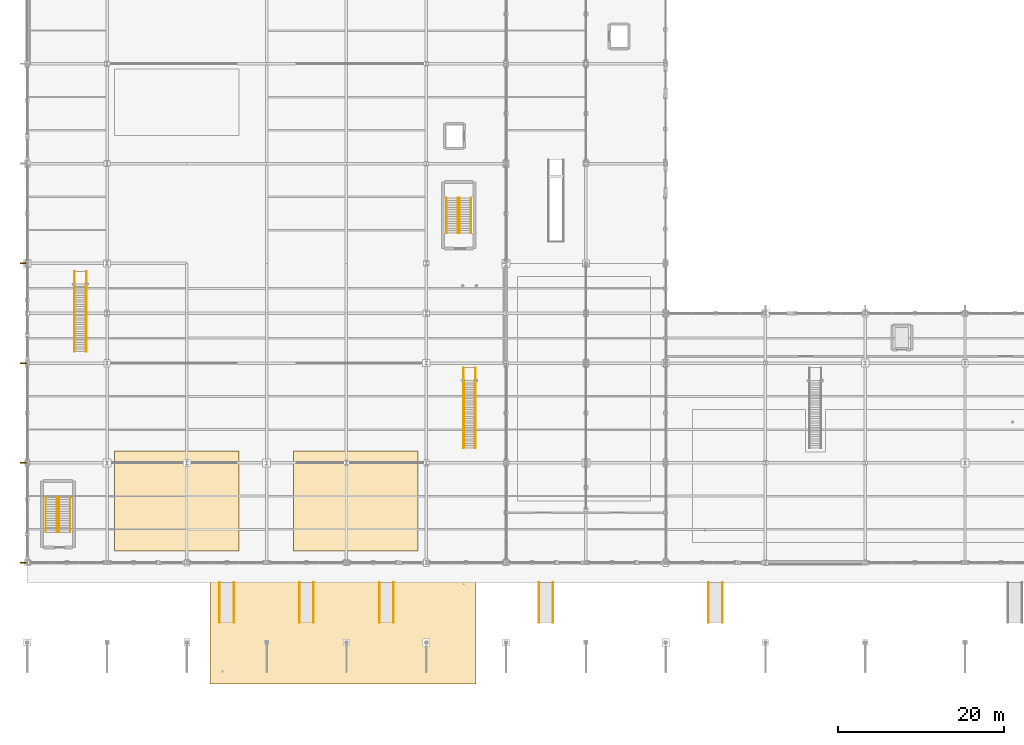
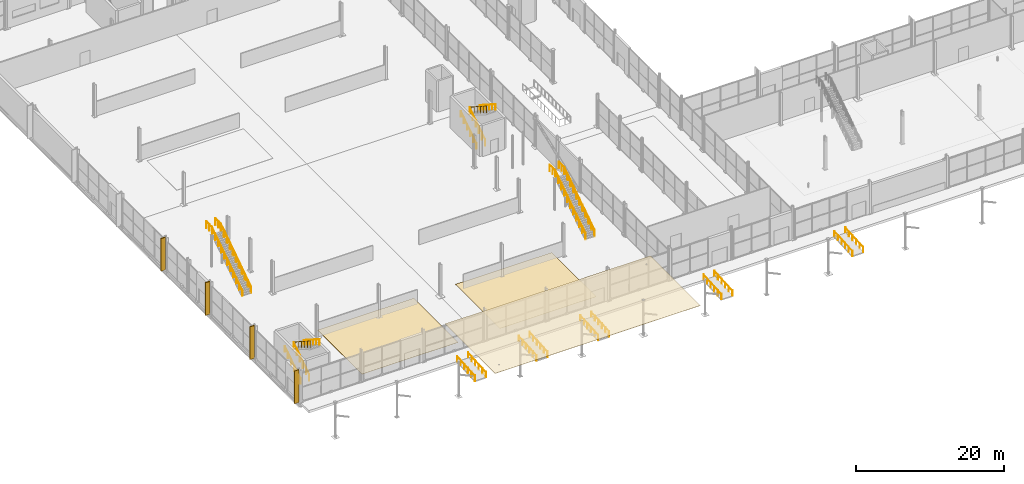
# One storey, part 190 of 196: 26 railings, 7 coverings.
"""IFC4 building model written with IfcOpenShell, lengths in metres."""

import ifcopenshell
import ifcopenshell.guid

model = None  # the IFC model being written
_history = None  # IfcOwnerHistory: only IFC2X3 demands one
_inside = {}  # id of a spatial element -> (the spatial element, [elements in it])
_under = {}  # id of a project, library or spatial element -> (it, [spatial elements below it])
_declared = {}  # id of a project -> (the project, [libraries it declares])
_typed = {}  # id of a type object -> (the type object, [elements of that type])
_made_of = {}  # id of a material, layer set ... -> (it, [elements and type objects made of it])


def new_model(schema):
    """Start an empty IFC model of exactly this schema.

    Asked for "IFC4X3", IfcOpenShell would pick the latest addendum, in which some entities
    have other attributes; the version numbers below select the first issue.
    IFC2X3 requires an IfcOwnerHistory on every rooted entity: one is made here for all.
    """
    global model, _history
    if schema == "IFC4X3":
        model = ifcopenshell.file(schema_version=(4, 3, 0, 0))
    else:
        model = ifcopenshell.file(schema=schema)
    _inside.clear()
    _under.clear()
    _declared.clear()
    _typed.clear()
    _made_of.clear()
    _history = None
    if model.schema == "IFC2X3":
        org = make("IfcOrganization", Name="unknown")
        user = make(
            "IfcPersonAndOrganization",
            ThePerson=make("IfcPerson", FamilyName="unknown"),
            TheOrganization=org,
        )
        app = make(
            "IfcApplication",
            ApplicationDeveloper=org,
            Version="unknown",
            ApplicationFullName="unknown",
            ApplicationIdentifier="unknown",
        )
        _history = make(
            "IfcOwnerHistory",
            OwningUser=user,
            OwningApplication=app,
            ChangeAction="ADDED",
            CreationDate=0,
        )
    return model


def make(cls, **values):
    """One entity of the class cls with the attributes given. An attribute that is None is left unset."""
    return model.create_entity(
        cls, **{name: value for name, value in values.items() if value is not None}
    )


def rooted(cls, **values):
    """An entity with a GlobalId (a new one), such as an element, a storey or a relation."""
    return make(cls, GlobalId=ifcopenshell.guid.new(), OwnerHistory=_history, **values)


def si_unit(unit_type, name, prefix=None):
    """IfcSIUnit, for example si_unit("LENGTHUNIT", "METRE", prefix="MILLI")."""
    return make("IfcSIUnit", UnitType=unit_type, Prefix=prefix, Name=name)


def assignment(units):
    """IfcUnitAssignment: the units of a project."""
    return None if units is None else make("IfcUnitAssignment", Units=units)


def point(xyz):
    """IfcCartesianPoint."""
    return None if xyz is None else make("IfcCartesianPoint", Coordinates=xyz)


def direction(xyz):
    """IfcDirection."""
    return None if xyz is None else make("IfcDirection", DirectionRatios=xyz)


def frame(location, z_axis=None, x_axis=None):
    """IfcAxis2Placement3D, a coordinate frame: its origin and axes. An axis left out is left unset."""
    return make(
        "IfcAxis2Placement3D",
        Location=point(location),
        Axis=direction(z_axis),
        RefDirection=direction(x_axis),
    )


def frame_2d(location, x_axis=None):
    """IfcAxis2Placement2D, a coordinate frame in the plane: its origin and x axis."""
    return make(
        "IfcAxis2Placement2D", Location=point(location), RefDirection=direction(x_axis)
    )


def origin():
    """The frame at (0, 0, 0) with its axes left unset."""
    return frame((0.0, 0.0, 0.0))


def origin_2d():
    """The frame at (0, 0) in the plane with its x axis left unset."""
    return frame_2d((0.0, 0.0))


def place(relative_to, where):
    """IfcLocalPlacement: puts the frame where relative to a parent placement (None: the world)."""
    return make(
        "IfcLocalPlacement", PlacementRelTo=relative_to, RelativePlacement=where
    )


def context(
    kind, dimensions, precision=None, world=None, true_north=None, identifier=None
):
    """IfcGeometricRepresentationContext, for example the 3D "Model" context."""
    return make(
        "IfcGeometricRepresentationContext",
        ContextIdentifier=identifier,
        ContextType=kind,
        CoordinateSpaceDimension=dimensions,
        Precision=precision,
        WorldCoordinateSystem=world,
        TrueNorth=true_north,
    )


def subcontext(parent, identifier, kind, view, scale=None):
    """IfcGeometricRepresentationSubContext, for example "Body" below "Model"."""
    return make(
        "IfcGeometricRepresentationSubContext",
        ContextIdentifier=identifier,
        ContextType=kind,
        ParentContext=parent,
        TargetScale=scale,
        TargetView=view,
    )


def project(units=None, contexts=None):
    """IfcProject with its units and contexts."""
    return rooted(
        "IfcProject",
        Name="project",
        RepresentationContexts=contexts,
        UnitsInContext=assignment(units),
    )


def spatial(cls, under=None, at=None, **own):
    """A site, building, storey or space (cls), placed at a placement, below another one or the project."""
    s = rooted(cls, ObjectPlacement=at, **own)
    if under is not None:
        _under.setdefault(under.id(), (under, []))[1].append(s)
    return s


def polyline(points):
    """IfcPolyline through the points."""
    return make("IfcPolyline", Points=[point(p) for p in points])


def profile(cls, at=None, kind="AREA", **sizes):
    """A parametric profile (cls). Its sizes go by their IFC names, for example OverallWidth=200.0."""
    return make(cls, ProfileType=kind, Position=at, **sizes)


def circle(**sizes):
    """IfcCircleProfileDef."""
    return profile("IfcCircleProfileDef", **sizes)


def outline(outer, holes=None, kind="AREA"):
    """IfcArbitraryClosedProfileDef: a profile drawn as a closed curve; with holes, ...WithVoids."""
    if holes is None:
        return make("IfcArbitraryClosedProfileDef", ProfileType=kind, OuterCurve=outer)
    return make(
        "IfcArbitraryProfileDefWithVoids",
        ProfileType=kind,
        OuterCurve=outer,
        InnerCurves=holes,
    )


def extrude(swept, where, along, depth):
    """IfcExtrudedAreaSolid: the profile swept, set in the frame where, extruded along a direction by depth."""
    return make(
        "IfcExtrudedAreaSolid",
        SweptArea=swept,
        Position=where,
        ExtrudedDirection=direction(along),
        Depth=depth,
    )


def shape(context_of_items, identifier, shape_type, items):
    """IfcShapeRepresentation: the items that make up one representation, for example the "Body"."""
    return make(
        "IfcShapeRepresentation",
        ContextOfItems=context_of_items,
        RepresentationIdentifier=identifier,
        RepresentationType=shape_type,
        Items=items,
    )


def material(Name=None, Category=None):
    """IfcMaterial."""
    return make("IfcMaterial", Name=Name, Category=Category)


def layer(
    of_material, thickness, ventilated=None, Name=None, Category=None, Priority=None
):
    """IfcMaterialLayer: one layer of a wall or slab, of a material (None: an air gap)."""
    return make(
        "IfcMaterialLayer",
        Material=of_material,
        LayerThickness=thickness,
        IsVentilated=ventilated,
        Name=Name,
        Category=Category,
        Priority=Priority,
    )


def layer_set(layers, Name=None):
    """IfcMaterialLayerSet."""
    return make("IfcMaterialLayerSet", MaterialLayers=layers, LayerSetName=Name)


def made_of(thing, what):
    """Note that an element or type object is made of a material, layer set ...; save() writes the relation."""
    if what is not None:
        _made_of.setdefault(what.id(), (what, []))[1].append(thing)
    return thing


def type_object(cls, material=None, **own):
    """A type object (cls), such as IfcWallType, which elements share."""
    return made_of(rooted(cls, **own), material)


def element(
    cls,
    number,
    at=None,
    inside=None,
    cuts=None,
    type_object=None,
    material=None,
    context=None,
    identifier="Body",
    shape_type=None,
    held_by="IfcProductDefinitionShape",
    body=None,
    shapes=None,
    **own,
):
    """One element of the class cls, such as IfcWall. Its Tag is "e" and its number.

    at: its placement. inside: the storey or other place that contains it. cuts: it is an
    opening in that element (IfcRelVoidsElement). A single representation is given by context,
    identifier, shape_type and body (its items); several are given by shapes. held_by: the class
    of the entity that holds the representations. save() writes the other relations.
    """
    e = rooted(cls, Tag="e%d" % number, ObjectPlacement=at, **own)
    if body is not None:
        shapes = [shape(context, identifier, shape_type, body)]
    if shapes is not None:
        e.Representation = make(held_by, Representations=shapes)
    if inside is not None:
        _inside.setdefault(inside.id(), (inside, []))[1].append(e)
    if cuts is not None:
        rooted(
            "IfcRelVoidsElement", RelatingBuildingElement=cuts, RelatedOpeningElement=e
        )
    if type_object is not None:
        _typed.setdefault(type_object.id(), (type_object, []))[1].append(e)
    return made_of(e, material)


def aggregate(whole, parts):
    """IfcRelAggregates: a whole, such as a stair, and the parts it consists of."""
    return rooted("IfcRelAggregates", RelatingObject=whole, RelatedObjects=parts)


def save(model, path):
    """Write the relations noted so far, then the file.

    IfcRelAggregates (storeys below a building ...), IfcRelContainedInSpatialStructure (elements
    in a storey), IfcRelDefinesByType, IfcRelAssociatesMaterial and IfcRelDeclares: one each for
    every whole, place, type object, material and project.
    """
    for whole, parts in _under.values():
        aggregate(whole, parts)
    for where, things in _inside.values():
        rooted(
            "IfcRelContainedInSpatialStructure",
            RelatedElements=things,
            RelatingStructure=where,
        )
    for kind, things in _typed.values():
        rooted("IfcRelDefinesByType", RelatedObjects=things, RelatingType=kind)
    for what, things in _made_of.values():
        rooted("IfcRelAssociatesMaterial", RelatedObjects=things, RelatingMaterial=what)
    for by, libraries in _declared.values():
        rooted("IfcRelDeclares", RelatingContext=by, RelatedDefinitions=libraries)
    model.write(path)


model = new_model("IFC4")

# Units and contexts
model_context = context("Model", 3, precision=1e-05, world=origin(), true_north=direction((0.0, 1.0)))
body_context = subcontext(model_context, "Body", "Model", "MODEL_VIEW")
ifc_project = project(units=[si_unit("LENGTHUNIT", "METRE"), si_unit("AREAUNIT", "SQUARE_METRE"), si_unit("VOLUMEUNIT", "CUBIC_METRE"), si_unit("PLANEANGLEUNIT", "RADIAN"), si_unit("MASSUNIT", "GRAM", prefix="KILO")], contexts=[model_context])

# Site, building, storey
site_placement = place(None, origin())
site = spatial("IfcSite", under=ifc_project, at=site_placement, CompositionType="ELEMENT")
building_placement = place(site_placement, origin())
building = spatial("IfcBuilding", under=site, at=building_placement, Name="Merenkruunu Market Hall", CompositionType="ELEMENT")
storey_placement = place(building_placement, origin())
storey = spatial("IfcBuildingStorey", under=building, at=storey_placement, Name="L00", CompositionType="ELEMENT", Elevation=0.0)

# Coverings
ifc_material_1 = material(Name="Precast concrete C40/50", Category="concrete")
ifc_layer_1 = layer(ifc_material_1, 0.139892578125)
ifc_layer_set_1 = layer_set([ifc_layer_1], Name="Precast concrete C40/50")
covering_type_1 = type_object("IfcCoveringType", Name="Architectural Precast Sun Fin CLD02", PredefinedType="CLADDING", material=ifc_layer_set_1)
covering_1_placement = place(storey_placement, origin())
element("IfcCovering", 1, at=covering_1_placement, inside=storey, type_object=covering_type_1, Name="FIN-W-L00-001", PredefinedType="CLADDING", context=body_context, shape_type="SweptSolid", body=[
    extrude(outline(polyline([(-0.8701171875, 15.530029296875), (-0.14794921875, 15.530029296875), (-0.14794921875, 15.669921875), (-0.8701171875, 15.669921875), (-0.8701171875, 15.530029296875)])), origin(), (0.0, 0.0, 1.0), 5.39990234375),
])
covering_2_placement = place(storey_placement, origin())
element("IfcCovering", 2, at=covering_2_placement, inside=storey, type_object=covering_type_1, Name="FIN-W-L00-004", PredefinedType="CLADDING", context=body_context, shape_type="SweptSolid", body=[
    extrude(outline(polyline([(-0.8701171875, 27.530029296875), (-0.14794921875, 27.530029296875), (-0.14794921875, 27.669921875), (-0.8701171875, 27.669921875), (-0.8701171875, 27.530029296875)])), origin(), (0.0, 0.0, 1.0), 5.39990234375),
])
covering_3_placement = place(storey_placement, origin())
element("IfcCovering", 3, at=covering_3_placement, inside=storey, type_object=covering_type_1, Name="FIN-W-L00-007", PredefinedType="CLADDING", context=body_context, shape_type="SweptSolid", body=[
    extrude(outline(polyline([(-0.8701171875, 39.530029296875), (-0.14794921875, 39.530029296875), (-0.14794921875, 39.669921875), (-0.8701171875, 39.669921875), (-0.8701171875, 39.530029296875)])), origin(), (0.0, 0.0, 1.0), 5.39990234375),
])
covering_4_placement = place(storey_placement, origin())
element("IfcCovering", 4, at=covering_4_placement, inside=storey, type_object=covering_type_1, Name="FIN-W-L00-010", PredefinedType="CLADDING", context=body_context, shape_type="SweptSolid", body=[
    extrude(outline(polyline([(-0.8701171875, 51.530029296875), (-0.14794921875, 51.530029296875), (-0.14794921875, 51.669921875), (-0.8701171875, 51.669921875), (-0.8701171875, 51.530029296875)])), origin(), (0.0, 0.0, 1.0), 5.39990234375),
])

# Railings
ifc_material_2 = material(Name="Brushed stainless steel", Category="steel")
railing_type_1 = type_object("IfcRailingType", Name="Gallery Balustrade Guard GR01", PredefinedType="BALUSTRADE", material=ifc_material_2)
railing_1_placement = place(storey_placement, frame((3.590087890625, 19.25, 0.0)))
element("IfcRailing", 5, at=railing_1_placement, inside=storey, type_object=railing_type_1, Name="RAIL-L00-0010", PredefinedType="BALUSTRADE", context=body_context, shape_type="SweptSolid", body=[
    extrude(circle(Radius=0.02392578125, at=origin_2d()), frame((0.0, 0.0, 1.076171875), z_axis=(0.0, 0.841180064094, 0.540755119968), x_axis=(-1.0, 0.0, 0.0)), (0.0, 0.0, 1.0), 4.992919921875),
    extrude(circle(Radius=0.02099609375, at=origin_2d()), origin(), (0.0, 0.0, 1.0), 1.052001953125),
    extrude(circle(Radius=0.02099609375, at=origin_2d()), frame((0.0, 0.840087890625, 0.5400390625)), (0.0, 0.0, 1.0), 1.052001953125),
    extrude(circle(Radius=0.02099609375, at=origin_2d()), frame((0.0, 1.679931640625, 1.080078125)), (0.0, 0.0, 1.0), 1.052001953125),
    extrude(circle(Radius=0.02099609375, at=origin_2d()), frame((0.0, 2.52001953125, 1.619873046875)), (0.0, 0.0, 1.0), 1.052001953125),
    extrude(circle(Radius=0.02099609375, at=origin_2d()), frame((0.0, 3.35986328125, 2.159912109375)), (0.0, 0.0, 1.0), 1.052001953125),
    extrude(circle(Radius=0.02099609375, at=origin_2d()), frame((0.0, 4.199951171875, 2.699951171875)), (0.0, 0.0, 1.0), 1.052001953125),
])
railing_2_placement = place(storey_placement, frame((3.81005859375, 23.449951171875, 2.699951171875)))
element("IfcRailing", 6, at=railing_2_placement, inside=storey, type_object=railing_type_1, Name="RAIL-L00-0011", PredefinedType="BALUSTRADE", context=body_context, shape_type="SweptSolid", body=[
    extrude(circle(Radius=0.02392578125, at=origin_2d()), frame((0.0, 0.0, 1.076171875), z_axis=(0.0, -0.841180064094, 0.540755119968), x_axis=(1.0, 0.0, 0.0)), (0.0, 0.0, 1.0), 4.992919921875),
    extrude(circle(Radius=0.02099609375, at=origin_2d()), origin(), (0.0, 0.0, 1.0), 1.052001953125),
    extrude(circle(Radius=0.02099609375, at=origin_2d()), frame((0.0, -0.840087890625, 0.5400390625)), (0.0, 0.0, 1.0), 1.052001953125),
    extrude(circle(Radius=0.02099609375, at=origin_2d()), frame((0.0, -1.679931640625, 1.080078125)), (0.0, 0.0, 1.0), 1.052001953125),
    extrude(circle(Radius=0.02099609375, at=origin_2d()), frame((0.0, -2.52001953125, 1.619873046875)), (0.0, 0.0, 1.0), 1.052001953125),
    extrude(circle(Radius=0.02099609375, at=origin_2d()), frame((0.0, -3.35986328125, 2.159912109375)), (0.0, 0.0, 1.0), 1.052001953125),
    extrude(circle(Radius=0.02099609375, at=origin_2d()), frame((0.0, -4.199951171875, 2.699951171875)), (0.0, 0.0, 1.0), 1.052001953125),
])
railing_3_placement = place(storey_placement, frame((51.7900390625, 55.25, 0.0)))
element("IfcRailing", 7, at=railing_3_placement, inside=storey, type_object=railing_type_1, Name="RAIL-L00-0019", PredefinedType="BALUSTRADE", context=body_context, shape_type="SweptSolid", body=[
    extrude(circle(Radius=0.02392578125, at=origin_2d()), frame((0.0, 0.0, 1.076171875), z_axis=(0.0, 0.841180064094, 0.540755119968), x_axis=(-1.0, 0.0, 0.0)), (0.0, 0.0, 1.0), 4.992919921875),
    extrude(circle(Radius=0.02099609375, at=origin_2d()), origin(), (0.0, 0.0, 1.0), 1.052001953125),
    extrude(circle(Radius=0.02099609375, at=origin_2d()), frame((0.0, 0.840087890625, 0.5400390625)), (0.0, 0.0, 1.0), 1.052001953125),
    extrude(circle(Radius=0.02099609375, at=origin_2d()), frame((0.0, 1.679931640625, 1.080078125)), (0.0, 0.0, 1.0), 1.052001953125),
    extrude(circle(Radius=0.02099609375, at=origin_2d()), frame((0.0, 2.52001953125, 1.619873046875)), (0.0, 0.0, 1.0), 1.052001953125),
    extrude(circle(Radius=0.02099609375, at=origin_2d()), frame((0.0, 3.35986328125, 2.159912109375)), (0.0, 0.0, 1.0), 1.052001953125),
    extrude(circle(Radius=0.02099609375, at=origin_2d()), frame((0.0, 4.199951171875, 2.699951171875)), (0.0, 0.0, 1.0), 1.052001953125),
])
railing_4_placement = place(storey_placement, frame((52.010009765625, 59.449951171875, 2.699951171875)))
element("IfcRailing", 8, at=railing_4_placement, inside=storey, type_object=railing_type_1, Name="RAIL-L00-0020", PredefinedType="BALUSTRADE", context=body_context, shape_type="SweptSolid", body=[
    extrude(circle(Radius=0.02392578125, at=origin_2d()), frame((0.0, 0.0, 1.076171875), z_axis=(0.0, -0.841180064094, 0.540755119968), x_axis=(1.0, 0.0, 0.0)), (0.0, 0.0, 1.0), 4.992919921875),
    extrude(circle(Radius=0.02099609375, at=origin_2d()), origin(), (0.0, 0.0, 1.0), 1.052001953125),
    extrude(circle(Radius=0.02099609375, at=origin_2d()), frame((0.0, -0.840087890625, 0.5400390625)), (0.0, 0.0, 1.0), 1.052001953125),
    extrude(circle(Radius=0.02099609375, at=origin_2d()), frame((0.0, -1.679931640625, 1.080078125)), (0.0, 0.0, 1.0), 1.052001953125),
    extrude(circle(Radius=0.02099609375, at=origin_2d()), frame((0.0, -2.52001953125, 1.619873046875)), (0.0, 0.0, 1.0), 1.052001953125),
    extrude(circle(Radius=0.02099609375, at=origin_2d()), frame((0.0, -3.35986328125, 2.159912109375)), (0.0, 0.0, 1.0), 1.052001953125),
    extrude(circle(Radius=0.02099609375, at=origin_2d()), frame((0.0, -4.199951171875, 2.699951171875)), (0.0, 0.0, 1.0), 1.052001953125),
])
railing_5_placement = place(storey_placement, frame((5.68994140625, 41.0, 0.0)))
element("IfcRailing", 9, at=railing_5_placement, inside=storey, type_object=railing_type_1, Name="RAIL-L00-0099", PredefinedType="BALUSTRADE", context=body_context, shape_type="SweptSolid", body=[
    extrude(circle(Radius=0.02392578125, at=origin_2d()), frame((0.0, 0.0, 1.076171875), z_axis=(0.0, 0.832058010752, 0.55468862143), x_axis=(-1.0, 0.0, 0.0)), (0.0, 0.0, 1.0), 9.735107421875),
    extrude(circle(Radius=0.02392578125, at=origin_2d()), frame((0.0, 8.10009765625, 6.47607421875), z_axis=(0.0, 1.0, 0.0), x_axis=(-1.0, 0.0, 0.0)), (0.0, 0.0, 1.0), 1.52978515625),
    extrude(circle(Radius=0.02099609375, at=origin_2d()), origin(), (0.0, 0.0, 1.0), 1.052001953125),
    extrude(circle(Radius=0.02099609375, at=origin_2d()), frame((0.0, 0.81005859375, 0.5400390625)), (0.0, 0.0, 1.0), 1.052001953125),
    extrude(circle(Radius=0.02099609375, at=origin_2d()), frame((0.0, 1.6201171875, 1.080078125)), (0.0, 0.0, 1.0), 1.052001953125),
    extrude(circle(Radius=0.02099609375, at=origin_2d()), frame((0.0, 2.429931640625, 1.619873046875)), (0.0, 0.0, 1.0), 1.052001953125),
    extrude(circle(Radius=0.02099609375, at=origin_2d()), frame((0.0, 3.239990234375, 2.159912109375)), (0.0, 0.0, 1.0), 1.052001953125),
    extrude(circle(Radius=0.02099609375, at=origin_2d()), frame((0.0, 4.050048828125, 2.699951171875)), (0.0, 0.0, 1.0), 1.052001953125),
    extrude(circle(Radius=0.02099609375, at=origin_2d()), frame((0.0, 4.860107421875, 3.239990234375)), (0.0, 0.0, 1.0), 1.052001953125),
    extrude(circle(Radius=0.02099609375, at=origin_2d()), frame((0.0, 5.670166015625, 3.780029296875)), (0.0, 0.0, 1.0), 1.052001953125),
    extrude(circle(Radius=0.02099609375, at=origin_2d()), frame((0.0, 6.47998046875, 4.31982421875)), (0.0, 0.0, 1.0), 1.052001953125),
    extrude(circle(Radius=0.02099609375, at=origin_2d()), frame((0.0, 7.2900390625, 4.85986328125)), (0.0, 0.0, 1.0), 1.052001953125),
    extrude(circle(Radius=0.02099609375, at=origin_2d()), frame((0.0, 8.10009765625, 5.39990234375)), (0.0, 0.0, 1.0), 1.052001953125),
    extrude(circle(Radius=0.02099609375, at=origin_2d()), frame((0.0, 8.864990234375, 5.39990234375)), (0.0, 0.0, 1.0), 1.052001953125),
    extrude(circle(Radius=0.02099609375, at=origin_2d()), frame((0.0, 9.6298828125, 5.39990234375)), (0.0, 0.0, 1.0), 1.052001953125),
])
railing_6_placement = place(storey_placement, frame((7.110107421875, 41.0, 0.0)))
element("IfcRailing", 10, at=railing_6_placement, inside=storey, type_object=railing_type_1, Name="RAIL-L00-0101", PredefinedType="BALUSTRADE", context=body_context, shape_type="SweptSolid", body=[
    extrude(circle(Radius=0.02392578125, at=origin_2d()), frame((0.0, 0.0, 1.076171875), z_axis=(0.0, 0.832058010752, 0.55468862143), x_axis=(-1.0, 0.0, 0.0)), (0.0, 0.0, 1.0), 9.735107421875),
    extrude(circle(Radius=0.02392578125, at=origin_2d()), frame((0.0, 8.10009765625, 6.47607421875), z_axis=(0.0, 1.0, 0.0), x_axis=(-1.0, 0.0, 0.0)), (0.0, 0.0, 1.0), 1.52978515625),
    extrude(circle(Radius=0.02099609375, at=origin_2d()), origin(), (0.0, 0.0, 1.0), 1.052001953125),
    extrude(circle(Radius=0.02099609375, at=origin_2d()), frame((0.0, 0.81005859375, 0.5400390625)), (0.0, 0.0, 1.0), 1.052001953125),
    extrude(circle(Radius=0.02099609375, at=origin_2d()), frame((0.0, 1.6201171875, 1.080078125)), (0.0, 0.0, 1.0), 1.052001953125),
    extrude(circle(Radius=0.02099609375, at=origin_2d()), frame((0.0, 2.429931640625, 1.619873046875)), (0.0, 0.0, 1.0), 1.052001953125),
    extrude(circle(Radius=0.02099609375, at=origin_2d()), frame((0.0, 3.239990234375, 2.159912109375)), (0.0, 0.0, 1.0), 1.052001953125),
    extrude(circle(Radius=0.02099609375, at=origin_2d()), frame((0.0, 4.050048828125, 2.699951171875)), (0.0, 0.0, 1.0), 1.052001953125),
    extrude(circle(Radius=0.02099609375, at=origin_2d()), frame((0.0, 4.860107421875, 3.239990234375)), (0.0, 0.0, 1.0), 1.052001953125),
    extrude(circle(Radius=0.02099609375, at=origin_2d()), frame((0.0, 5.670166015625, 3.780029296875)), (0.0, 0.0, 1.0), 1.052001953125),
    extrude(circle(Radius=0.02099609375, at=origin_2d()), frame((0.0, 6.47998046875, 4.31982421875)), (0.0, 0.0, 1.0), 1.052001953125),
    extrude(circle(Radius=0.02099609375, at=origin_2d()), frame((0.0, 7.2900390625, 4.85986328125)), (0.0, 0.0, 1.0), 1.052001953125),
    extrude(circle(Radius=0.02099609375, at=origin_2d()), frame((0.0, 8.10009765625, 5.39990234375)), (0.0, 0.0, 1.0), 1.052001953125),
    extrude(circle(Radius=0.02099609375, at=origin_2d()), frame((0.0, 8.864990234375, 5.39990234375)), (0.0, 0.0, 1.0), 1.052001953125),
    extrude(circle(Radius=0.02099609375, at=origin_2d()), frame((0.0, 9.6298828125, 5.39990234375)), (0.0, 0.0, 1.0), 1.052001953125),
])
railing_7_placement = place(storey_placement, frame((52.489990234375, 29.39990234375, 0.0)))
element("IfcRailing", 11, at=railing_7_placement, inside=storey, type_object=railing_type_1, Name="RAIL-L00-0104", PredefinedType="BALUSTRADE", context=body_context, shape_type="SweptSolid", body=[
    extrude(circle(Radius=0.02392578125, at=origin_2d()), frame((0.0, 0.0, 1.076171875), z_axis=(0.0, 0.832058010752, 0.55468862143), x_axis=(-1.0, 0.0, 0.0)), (0.0, 0.0, 1.0), 9.735107421875),
    extrude(circle(Radius=0.02392578125, at=origin_2d()), frame((0.0, 8.10009765625, 6.47607421875), z_axis=(0.0, 1.0, 0.0), x_axis=(-1.0, 0.0, 0.0)), (0.0, 0.0, 1.0), 1.530029296875),
    extrude(circle(Radius=0.02099609375, at=origin_2d()), origin(), (0.0, 0.0, 1.0), 1.052001953125),
    extrude(circle(Radius=0.02099609375, at=origin_2d()), frame((0.0, 0.81005859375, 0.5400390625)), (0.0, 0.0, 1.0), 1.052001953125),
    extrude(circle(Radius=0.02099609375, at=origin_2d()), frame((0.0, 1.6201171875, 1.080078125)), (0.0, 0.0, 1.0), 1.052001953125),
    extrude(circle(Radius=0.02099609375, at=origin_2d()), frame((0.0, 2.429931640625, 1.619873046875)), (0.0, 0.0, 1.0), 1.052001953125),
    extrude(circle(Radius=0.02099609375, at=origin_2d()), frame((0.0, 3.239990234375, 2.159912109375)), (0.0, 0.0, 1.0), 1.052001953125),
    extrude(circle(Radius=0.02099609375, at=origin_2d()), frame((0.0, 4.050048828125, 2.699951171875)), (0.0, 0.0, 1.0), 1.052001953125),
    extrude(circle(Radius=0.02099609375, at=origin_2d()), frame((0.0, 4.860107421875, 3.239990234375)), (0.0, 0.0, 1.0), 1.052001953125),
    extrude(circle(Radius=0.02099609375, at=origin_2d()), frame((0.0, 5.670166015625, 3.780029296875)), (0.0, 0.0, 1.0), 1.052001953125),
    extrude(circle(Radius=0.02099609375, at=origin_2d()), frame((0.0, 6.47998046875, 4.31982421875)), (0.0, 0.0, 1.0), 1.052001953125),
    extrude(circle(Radius=0.02099609375, at=origin_2d()), frame((0.0, 7.2900390625, 4.85986328125)), (0.0, 0.0, 1.0), 1.052001953125),
    extrude(circle(Radius=0.02099609375, at=origin_2d()), frame((0.0, 8.10009765625, 5.39990234375)), (0.0, 0.0, 1.0), 1.052001953125),
    extrude(circle(Radius=0.02099609375, at=origin_2d()), frame((0.0, 8.865234375, 5.39990234375)), (0.0, 0.0, 1.0), 1.052001953125),
    extrude(circle(Radius=0.02099609375, at=origin_2d()), frame((0.0, 9.630126953125, 5.39990234375)), (0.0, 0.0, 1.0), 1.052001953125),
])
railing_8_placement = place(storey_placement, frame((53.909912109375, 29.39990234375, 0.0)))
element("IfcRailing", 12, at=railing_8_placement, inside=storey, type_object=railing_type_1, Name="RAIL-L00-0106", PredefinedType="BALUSTRADE", context=body_context, shape_type="SweptSolid", body=[
    extrude(circle(Radius=0.02392578125, at=origin_2d()), frame((0.0, 0.0, 1.076171875), z_axis=(0.0, 0.832058010752, 0.55468862143), x_axis=(-1.0, 0.0, 0.0)), (0.0, 0.0, 1.0), 9.735107421875),
    extrude(circle(Radius=0.02392578125, at=origin_2d()), frame((0.0, 8.10009765625, 6.47607421875), z_axis=(0.0, 1.0, 0.0), x_axis=(-1.0, 0.0, 0.0)), (0.0, 0.0, 1.0), 1.530029296875),
    extrude(circle(Radius=0.02099609375, at=origin_2d()), origin(), (0.0, 0.0, 1.0), 1.052001953125),
    extrude(circle(Radius=0.02099609375, at=origin_2d()), frame((0.0, 0.81005859375, 0.5400390625)), (0.0, 0.0, 1.0), 1.052001953125),
    extrude(circle(Radius=0.02099609375, at=origin_2d()), frame((0.0, 1.6201171875, 1.080078125)), (0.0, 0.0, 1.0), 1.052001953125),
    extrude(circle(Radius=0.02099609375, at=origin_2d()), frame((0.0, 2.429931640625, 1.619873046875)), (0.0, 0.0, 1.0), 1.052001953125),
    extrude(circle(Radius=0.02099609375, at=origin_2d()), frame((0.0, 3.239990234375, 2.159912109375)), (0.0, 0.0, 1.0), 1.052001953125),
    extrude(circle(Radius=0.02099609375, at=origin_2d()), frame((0.0, 4.050048828125, 2.699951171875)), (0.0, 0.0, 1.0), 1.052001953125),
    extrude(circle(Radius=0.02099609375, at=origin_2d()), frame((0.0, 4.860107421875, 3.239990234375)), (0.0, 0.0, 1.0), 1.052001953125),
    extrude(circle(Radius=0.02099609375, at=origin_2d()), frame((0.0, 5.670166015625, 3.780029296875)), (0.0, 0.0, 1.0), 1.052001953125),
    extrude(circle(Radius=0.02099609375, at=origin_2d()), frame((0.0, 6.47998046875, 4.31982421875)), (0.0, 0.0, 1.0), 1.052001953125),
    extrude(circle(Radius=0.02099609375, at=origin_2d()), frame((0.0, 7.2900390625, 4.85986328125)), (0.0, 0.0, 1.0), 1.052001953125),
    extrude(circle(Radius=0.02099609375, at=origin_2d()), frame((0.0, 8.10009765625, 5.39990234375)), (0.0, 0.0, 1.0), 1.052001953125),
    extrude(circle(Radius=0.02099609375, at=origin_2d()), frame((0.0, 8.865234375, 5.39990234375)), (0.0, 0.0, 1.0), 1.052001953125),
    extrude(circle(Radius=0.02099609375, at=origin_2d()), frame((0.0, 9.630126953125, 5.39990234375)), (0.0, 0.0, 1.0), 1.052001953125),
])

# Covering
ifc_material_3 = material(Name="Lacquered Nordic birch", Category="wood")
ifc_layer_2 = layer(ifc_material_3, 0.044921875)
ifc_layer_set_2 = layer_set([ifc_layer_2], Name="Lacquered Nordic birch")
covering_type_2 = type_object("IfcCoveringType", Name="Nordic Birch Acoustic Ceiling CLG01", PredefinedType="CEILING", material=ifc_layer_set_2)
covering_5_placement = place(storey_placement, frame((0.0, 0.0, 5.780029296875)))
element("IfcCovering", 13, at=covering_5_placement, inside=storey, type_object=covering_type_2, Name="COV-CLG-L00-3", PredefinedType="CEILING", context=body_context, shape_type="SweptSolid", body=[
    extrude(outline(polyline([(22.0, 1.0), (22.0, 14.5), (54.0, 14.5), (54.0, 1.0), (22.0, 1.0)])), origin(), (0.0, 0.0, 1.0), 0.044921875),
])

# Railings
railing_type_2 = type_object("IfcRailingType", Name="Stair Pitch Handrail HR01", PredefinedType="HANDRAIL", material=ifc_material_2)
railing_9_placement = place(storey_placement, frame((2.22998046875, 19.25, 0.0)))
element("IfcRailing", 14, at=railing_9_placement, inside=storey, type_object=railing_type_2, Name="RAIL-L00-0012", PredefinedType="HANDRAIL", context=body_context, shape_type="SweptSolid", body=[
    extrude(circle(Radius=0.02392578125, at=origin_2d()), frame((0.0, 0.0, 0.8759765625), z_axis=(0.0, 0.841180064094, 0.540755119968), x_axis=(-1.0, 0.0, 0.0)), (0.0, 0.0, 1.0), 4.992919921875),
    extrude(circle(Radius=0.02099609375, at=origin_2d()), origin(), (0.0, 0.0, 1.0), 0.851806640625),
    extrude(circle(Radius=0.02099609375, at=origin_2d()), frame((0.0, 0.840087890625, 0.5400390625)), (0.0, 0.0, 1.0), 0.851806640625),
    extrude(circle(Radius=0.02099609375, at=origin_2d()), frame((0.0, 1.679931640625, 1.080078125)), (0.0, 0.0, 1.0), 0.851806640625),
    extrude(circle(Radius=0.02099609375, at=origin_2d()), frame((0.0, 2.52001953125, 1.619873046875)), (0.0, 0.0, 1.0), 0.851806640625),
    extrude(circle(Radius=0.02099609375, at=origin_2d()), frame((0.0, 3.35986328125, 2.159912109375)), (0.0, 0.0, 1.0), 0.851806640625),
    extrude(circle(Radius=0.02099609375, at=origin_2d()), frame((0.0, 4.199951171875, 2.699951171875)), (0.0, 0.0, 1.0), 0.851806640625),
])
railing_10_placement = place(storey_placement, frame((5.169921875, 23.449951171875, 2.699951171875)))
element("IfcRailing", 15, at=railing_10_placement, inside=storey, type_object=railing_type_2, Name="RAIL-L00-0013", PredefinedType="HANDRAIL", context=body_context, shape_type="SweptSolid", body=[
    extrude(circle(Radius=0.02392578125, at=origin_2d()), frame((0.0, 0.0, 0.8759765625), z_axis=(0.0, -0.841180064094, 0.540755119968), x_axis=(1.0, 0.0, 0.0)), (0.0, 0.0, 1.0), 4.992919921875),
    extrude(circle(Radius=0.02099609375, at=origin_2d()), origin(), (0.0, 0.0, 1.0), 0.851806640625),
    extrude(circle(Radius=0.02099609375, at=origin_2d()), frame((0.0, -0.840087890625, 0.5400390625)), (0.0, 0.0, 1.0), 0.851806640625),
    extrude(circle(Radius=0.02099609375, at=origin_2d()), frame((0.0, -1.679931640625, 1.080078125)), (0.0, 0.0, 1.0), 0.851806640625),
    extrude(circle(Radius=0.02099609375, at=origin_2d()), frame((0.0, -2.52001953125, 1.619873046875)), (0.0, 0.0, 1.0), 0.851806640625),
    extrude(circle(Radius=0.02099609375, at=origin_2d()), frame((0.0, -3.35986328125, 2.159912109375)), (0.0, 0.0, 1.0), 0.851806640625),
    extrude(circle(Radius=0.02099609375, at=origin_2d()), frame((0.0, -4.199951171875, 2.699951171875)), (0.0, 0.0, 1.0), 0.851806640625),
])
railing_11_placement = place(storey_placement, frame((50.429931640625, 55.25, 0.0)))
element("IfcRailing", 16, at=railing_11_placement, inside=storey, type_object=railing_type_2, Name="RAIL-L00-0021", PredefinedType="HANDRAIL", context=body_context, shape_type="SweptSolid", body=[
    extrude(circle(Radius=0.02392578125, at=origin_2d()), frame((0.0, 0.0, 0.8759765625), z_axis=(0.0, 0.841180064094, 0.540755119968), x_axis=(-1.0, 0.0, 0.0)), (0.0, 0.0, 1.0), 4.992919921875),
    extrude(circle(Radius=0.02099609375, at=origin_2d()), origin(), (0.0, 0.0, 1.0), 0.851806640625),
    extrude(circle(Radius=0.02099609375, at=origin_2d()), frame((0.0, 0.840087890625, 0.5400390625)), (0.0, 0.0, 1.0), 0.851806640625),
    extrude(circle(Radius=0.02099609375, at=origin_2d()), frame((0.0, 1.679931640625, 1.080078125)), (0.0, 0.0, 1.0), 0.851806640625),
    extrude(circle(Radius=0.02099609375, at=origin_2d()), frame((0.0, 2.52001953125, 1.619873046875)), (0.0, 0.0, 1.0), 0.851806640625),
    extrude(circle(Radius=0.02099609375, at=origin_2d()), frame((0.0, 3.35986328125, 2.159912109375)), (0.0, 0.0, 1.0), 0.851806640625),
    extrude(circle(Radius=0.02099609375, at=origin_2d()), frame((0.0, 4.199951171875, 2.699951171875)), (0.0, 0.0, 1.0), 0.851806640625),
])
railing_12_placement = place(storey_placement, frame((53.3701171875, 59.449951171875, 2.699951171875)))
element("IfcRailing", 17, at=railing_12_placement, inside=storey, type_object=railing_type_2, Name="RAIL-L00-0022", PredefinedType="HANDRAIL", context=body_context, shape_type="SweptSolid", body=[
    extrude(circle(Radius=0.02392578125, at=origin_2d()), frame((0.0, 0.0, 0.8759765625), z_axis=(0.0, -0.841180064094, 0.540755119968), x_axis=(1.0, 0.0, 0.0)), (0.0, 0.0, 1.0), 4.992919921875),
    extrude(circle(Radius=0.02099609375, at=origin_2d()), origin(), (0.0, 0.0, 1.0), 0.851806640625),
    extrude(circle(Radius=0.02099609375, at=origin_2d()), frame((0.0, -0.840087890625, 0.5400390625)), (0.0, 0.0, 1.0), 0.851806640625),
    extrude(circle(Radius=0.02099609375, at=origin_2d()), frame((0.0, -1.679931640625, 1.080078125)), (0.0, 0.0, 1.0), 0.851806640625),
    extrude(circle(Radius=0.02099609375, at=origin_2d()), frame((0.0, -2.52001953125, 1.619873046875)), (0.0, 0.0, 1.0), 0.851806640625),
    extrude(circle(Radius=0.02099609375, at=origin_2d()), frame((0.0, -3.35986328125, 2.159912109375)), (0.0, 0.0, 1.0), 0.851806640625),
    extrude(circle(Radius=0.02099609375, at=origin_2d()), frame((0.0, -4.199951171875, 2.699951171875)), (0.0, 0.0, 1.0), 0.851806640625),
])
for number, where, name in (
    (18, (5.719970703125, 41.0, 0.0), "RAIL-L00-0100"),
    (19, (7.080078125, 41.0, 0.0), "RAIL-L00-0102"),
    (20, (52.52001953125, 29.39990234375, 0.0), "RAIL-L00-0105"),
    (21, (53.8798828125, 29.39990234375, 0.0), "RAIL-L00-0107"),
):
    element("IfcRailing", number, at=place(storey_placement, frame(where)), inside=storey, type_object=railing_type_2, Name=name, PredefinedType="HANDRAIL", context=body_context, shape_type="SweptSolid", body=[
        extrude(circle(Radius=0.02392578125, at=origin_2d()), frame((0.0, 0.0, 0.8759765625), z_axis=(0.0, 0.832058010752, 0.55468862143), x_axis=(-1.0, 0.0, 0.0)), (0.0, 0.0, 1.0), 9.735107421875),
        extrude(circle(Radius=0.02099609375, at=origin_2d()), origin(), (0.0, 0.0, 1.0), 0.851806640625),
        extrude(circle(Radius=0.02099609375, at=origin_2d()), frame((0.0, 0.81005859375, 0.5400390625)), (0.0, 0.0, 1.0), 0.851806640625),
        extrude(circle(Radius=0.02099609375, at=origin_2d()), frame((0.0, 1.6201171875, 1.080078125)), (0.0, 0.0, 1.0), 0.851806640625),
        extrude(circle(Radius=0.02099609375, at=origin_2d()), frame((0.0, 2.429931640625, 1.619873046875)), (0.0, 0.0, 1.0), 0.851806640625),
        extrude(circle(Radius=0.02099609375, at=origin_2d()), frame((0.0, 3.239990234375, 2.159912109375)), (0.0, 0.0, 1.0), 0.851806640625),
        extrude(circle(Radius=0.02099609375, at=origin_2d()), frame((0.0, 4.050048828125, 2.699951171875)), (0.0, 0.0, 1.0), 0.851806640625),
        extrude(circle(Radius=0.02099609375, at=origin_2d()), frame((0.0, 4.860107421875, 3.239990234375)), (0.0, 0.0, 1.0), 0.851806640625),
        extrude(circle(Radius=0.02099609375, at=origin_2d()), frame((0.0, 5.670166015625, 3.780029296875)), (0.0, 0.0, 1.0), 0.851806640625),
        extrude(circle(Radius=0.02099609375, at=origin_2d()), frame((0.0, 6.47998046875, 4.31982421875)), (0.0, 0.0, 1.0), 0.851806640625),
        extrude(circle(Radius=0.02099609375, at=origin_2d()), frame((0.0, 7.2900390625, 4.85986328125)), (0.0, 0.0, 1.0), 0.851806640625),
        extrude(circle(Radius=0.02099609375, at=origin_2d()), frame((0.0, 8.10009765625, 5.39990234375)), (0.0, 0.0, 1.0), 0.851806640625),
    ])
for number, where, name in (
    (22, (23.14990234375, 8.39990234375, -0.300048828125), "RAIL-L00-0119"),
    (23, (24.85009765625, 8.39990234375, -0.300048828125), "RAIL-L00-0120"),
    (24, (32.75, 8.39990234375, -0.300048828125), "RAIL-L00-0121"),
    (25, (34.449951171875, 8.39990234375, -0.300048828125), "RAIL-L00-0122"),
    (26, (42.35009765625, 8.39990234375, -0.300048828125), "RAIL-L00-0123"),
    (27, (44.050048828125, 8.39990234375, -0.300048828125), "RAIL-L00-0124"),
    (28, (61.550048828125, 8.39990234375, -0.300048828125), "RAIL-L00-0125"),
    (29, (63.25, 8.39990234375, -0.300048828125), "RAIL-L00-0126"),
    (30, (81.949951171875, 8.39990234375, -0.300048828125), "RAIL-L00-0127"),
    (31, (83.64990234375, 8.39990234375, -0.300048828125), "RAIL-L00-0128"),
):
    element("IfcRailing", number, at=place(storey_placement, frame(where)), inside=storey, type_object=railing_type_2, Name=name, PredefinedType="HANDRAIL", context=body_context, shape_type="SweptSolid", body=[
        extrude(circle(Radius=0.02392578125, at=origin_2d()), frame((0.0, 0.0, 0.8759765625), z_axis=(0.0, 0.998051985873, 0.062387767186), x_axis=(-1.0, 0.0, 0.0)), (0.0, 0.0, 1.0), 4.809326171875),
        extrude(circle(Radius=0.02099609375, at=origin_2d()), origin(), (0.0, 0.0, 1.0), 0.851806640625),
        extrude(circle(Radius=0.02099609375, at=origin_2d()), frame((0.0, 0.9599609375, 0.06005859375)), (0.0, 0.0, 1.0), 0.851806640625),
        extrude(circle(Radius=0.02099609375, at=origin_2d()), frame((0.0, 1.919921875, 0.1201171875)), (0.0, 0.0, 1.0), 0.851806640625),
        extrude(circle(Radius=0.02099609375, at=origin_2d()), frame((0.0, 2.880126953125, 0.179931640625)), (0.0, 0.0, 1.0), 0.851806640625),
        extrude(circle(Radius=0.02099609375, at=origin_2d()), frame((0.0, 3.840087890625, 0.239990234375)), (0.0, 0.0, 1.0), 0.851806640625),
        extrude(circle(Radius=0.02099609375, at=origin_2d()), frame((0.0, 4.800048828125, 0.300048828125)), (0.0, 0.0, 1.0), 0.851806640625),
    ])

# Coverings
ifc_material_4 = material(Name="Terrazzo stone flooring", Category="masonry")
ifc_layer_3 = layer(ifc_material_4, 0.030029296875)
ifc_layer_set_3 = layer_set([ifc_layer_3], Name="Terrazzo stone flooring")
covering_type_3 = type_object("IfcCoveringType", Name="Terrazzo Market Flooring FLR01", PredefinedType="FLOORING", material=ifc_layer_set_3)
covering_6_placement = place(storey_placement, origin())
element("IfcCovering", 32, at=covering_6_placement, inside=storey, type_object=covering_type_3, Name="COV-FLR-L00-1", PredefinedType="FLOORING", context=body_context, shape_type="SweptSolid", body=[
    extrude(outline(polyline([(10.5, 17.0), (10.5, 29.0), (25.5, 29.0), (25.5, 17.0), (10.5, 17.0)])), origin(), (0.0, 0.0, 1.0), 0.030029296875),
])
covering_7_placement = place(storey_placement, origin())
element("IfcCovering", 33, at=covering_7_placement, inside=storey, type_object=covering_type_3, Name="COV-FLR-L00-2", PredefinedType="FLOORING", context=body_context, shape_type="SweptSolid", body=[
    extrude(outline(polyline([(32.0, 17.0), (32.0, 29.0), (47.0, 29.0), (47.0, 17.0), (32.0, 17.0)])), origin(), (0.0, 0.0, 1.0), 0.030029296875),
])

save(model, "model.ifc")
